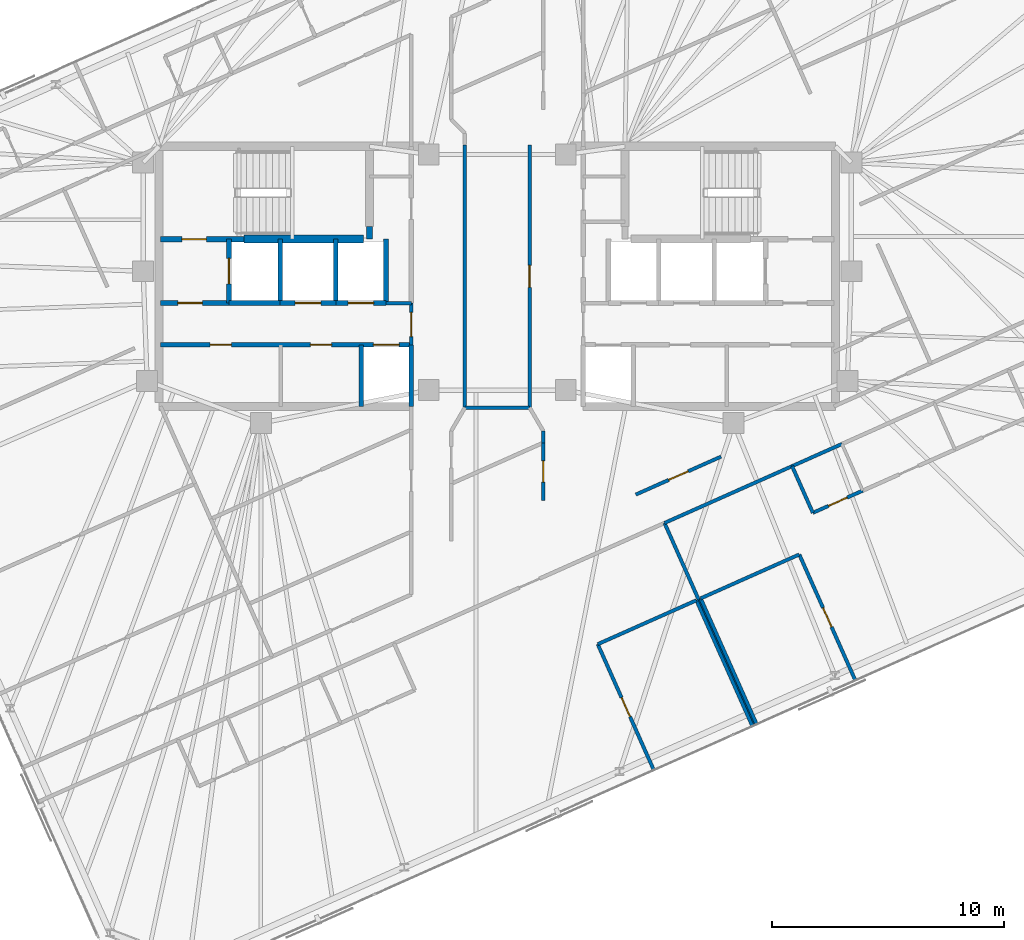
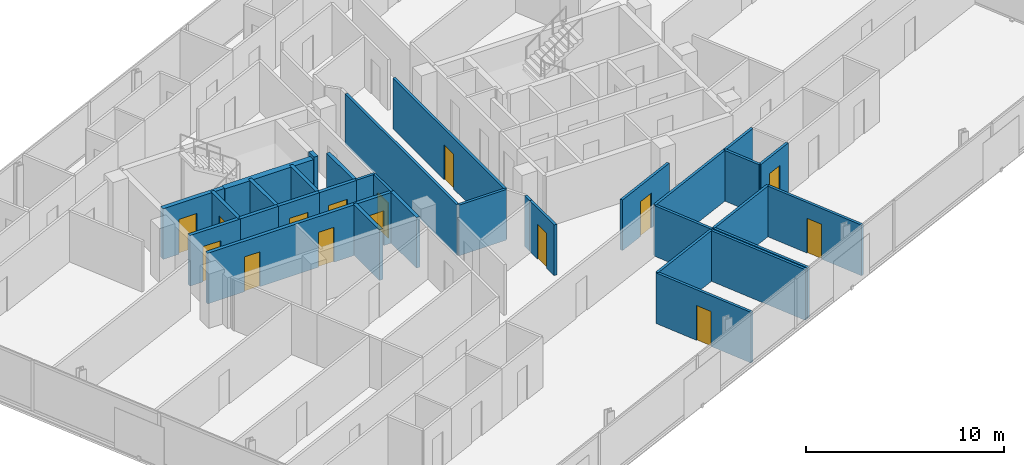
# One storey, part 14 of 19: 33 walls, 15 doors, 15 openings.
"""IFC4 building model written with IfcOpenShell, lengths in metres."""

from ifc_helpers import new_model, si_unit, direction, frame, frame_2d, origin, place, context, subcontext, project, spatial, rectangle, extrude, material, layer, layer_set, type_object, element, fill, save


model = new_model("IFC4")

# Units and contexts
model_context = context("Model", 3, precision=1e-05, world=origin(), true_north=direction((0.0, 1.0)))
body_context = subcontext(model_context, "Body", "Model", "MODEL_VIEW")
ifc_project = project(units=[si_unit("LENGTHUNIT", "METRE"), si_unit("AREAUNIT", "SQUARE_METRE"), si_unit("VOLUMEUNIT", "CUBIC_METRE"), si_unit("PLANEANGLEUNIT", "RADIAN"), si_unit("MASSUNIT", "GRAM", prefix="KILO")], contexts=[model_context])

# Site, building, storey
site_placement = place(None, origin())
site = spatial("IfcSite", under=ifc_project, at=site_placement, CompositionType="ELEMENT")
building_placement = place(site_placement, origin())
building = spatial("IfcBuilding", under=site, at=building_placement, Name="Menara Jurai Vektor", CompositionType="ELEMENT")
storey_placement = place(building_placement, frame((0.0, 0.0, 291.949951171875)))
storey = spatial("IfcBuildingStorey", under=building, at=storey_placement, Name="L78", CompositionType="ELEMENT", Elevation=291.949951171875)

# Wall, opening, door
ifc_material_1 = material(Name="Concrete C40/50", Category="concrete")
ifc_layer_1 = layer(ifc_material_1, 0.25)
ifc_layer_set_1 = layer_set([ifc_layer_1], Name="Concrete C40/50")
wall_type_1 = type_object("IfcWallType", Name="INT-WALL-CORE-250", PredefinedType="STANDARD", material=ifc_layer_set_1)
wall_1_placement = place(storey_placement, frame((-14.5, 1.60009765625, 0.0), z_axis=(0.0, 0.0, 1.0), x_axis=(1.0, 0.0, 0.0)))
wall_1 = element("IfcWall", 1, at=wall_1_placement, inside=storey, type_object=wall_type_1, Name="Interior Wall IW-250 L78", PredefinedType="STANDARD", context=body_context, shape_type="SweptSolid", body=[
    extrude(rectangle(XDim=3.60009765625, YDim=0.25, at=frame_2d((1.800048828125, 0.0))), origin(), (0.0, 0.0, 1.0), 3.125),
])
opening_1_placement = place(wall_1_placement, frame((0.919921875, 0.0, 0.0)))
opening_1 = element("IfcOpeningElement", 2, at=opening_1_placement, cuts=wall_1, Name="Opening D-L78-ST1", PredefinedType="OPENING", context=body_context, shape_type="SweptSolid", body=[
    extrude(rectangle(XDim=1.050048828125, YDim=2.14990234375, at=frame_2d((0.52490234375, 1.074951171875))), frame((0.0, 0.135009765625, 0.0), z_axis=(0.0, -1.0, 0.0), x_axis=(1.0, 0.0, 0.0)), (0.0, 0.0, 1.0), 0.27001953125),
])
ifc_material_2 = material(Name="Fire-Rated Steel Door", Category="steel")
door_type_1 = type_object("IfcDoorType", Name="DR-STAIR-1050", OperationType="NOTDEFINED", PredefinedType="DOOR", material=ifc_material_2)
door_1_placement = place(opening_1_placement, origin())
door_1 = element("IfcDoor", 3, at=door_1_placement, inside=storey, type_object=door_type_1, Name="Exit Stair ST1 Door L78", OperationType="SINGLE_SWING_RIGHT", OverallHeight=2.14990234375, OverallWidth=1.050048828125, PredefinedType="DOOR", context=body_context, shape_type="SweptSolid", body=[
    extrude(rectangle(XDim=1.050048828125, YDim=2.14990234375, at=frame_2d((0.52490234375, 1.074951171875))), frame((0.0, 0.02490234375, 0.0), z_axis=(0.0, -1.0, 0.0), x_axis=(1.0, 0.0, 0.0)), (0.0, 0.0, 1.0), 0.050048828125),
])
fill(opening_1, door_1)

# Wall
wall_2_placement = place(storey_placement, frame((-5.5, 1.60009765625, 0.0), z_axis=(0.0, 0.0, 1.0), x_axis=(0.0, 1.0, 0.0)))
element("IfcWall", 4, at=wall_2_placement, inside=storey, type_object=wall_type_1, Name="Interior Wall IW-250 L78", PredefinedType="STANDARD", context=body_context, shape_type="SweptSolid", body=[
    extrude(rectangle(XDim=0.5498046875, YDim=0.25, at=frame_2d((0.27490234375, 0.0))), origin(), (0.0, 0.0, 1.0), 3.125),
])

# Wall, opening, door
wall_3_placement = place(storey_placement, frame((-11.550048828125, -1.14990234375, 0.0), z_axis=(0.0, 0.0, 1.0), x_axis=(0.0, 1.0, 0.0)))
wall_3 = element("IfcWall", 5, at=wall_3_placement, inside=storey, type_object=wall_type_1, Name="Interior Wall IW-250 L78", PredefinedType="STANDARD", context=body_context, shape_type="SweptSolid", body=[
    extrude(rectangle(XDim=2.75, YDim=0.199951171875, at=frame_2d((1.375, 0.0))), origin(), (0.0, 0.0, 1.0), 3.125),
])
opening_2_placement = place(wall_3_placement, frame((0.824951171875, 0.0, 0.0)))
opening_2 = element("IfcOpeningElement", 6, at=opening_2_placement, cuts=wall_3, Name="Opening LD-L78-FL1", PredefinedType="OPENING", context=body_context, shape_type="SweptSolid", body=[
    extrude(rectangle(XDim=1.10009765625, YDim=2.14990234375, at=frame_2d((0.550048828125, 1.074951171875))), frame((0.0, 0.10986328125, 0.0), z_axis=(0.0, -1.0, 0.0), x_axis=(1.0, 0.0, 0.0)), (0.0, 0.0, 1.0), 0.219970703125),
])
ifc_material_3 = material(Name="Stainless Steel Sliding Lift Landing Door", Category="steel")
door_type_2 = type_object("IfcDoorType", Name="DR-LIFT-FIRE-1100", OperationType="NOTDEFINED", PredefinedType="DOOR", material=ifc_material_3)
door_2_placement = place(opening_2_placement, origin())
door_2 = element("IfcDoor", 7, at=door_2_placement, inside=storey, type_object=door_type_2, Name="Lift Landing Door FL1 L78", OperationType="SLIDING_TO_RIGHT", OverallHeight=2.14990234375, OverallWidth=1.10009765625, PredefinedType="DOOR", context=body_context, shape_type="SweptSolid", body=[
    extrude(rectangle(XDim=1.10009765625, YDim=2.14990234375, at=frame_2d((0.550048828125, 1.074951171875))), frame((0.0, 0.02490234375, 0.0), z_axis=(0.0, -1.0, 0.0), x_axis=(1.0, 0.0, 0.0)), (0.0, 0.0, 1.0), 0.050048828125),
])
fill(opening_2, door_2)

# Wall
wall_4_placement = place(storey_placement, frame((-9.35009765625, -1.14990234375, 0.0), z_axis=(0.0, 0.0, 1.0), x_axis=(0.0, 1.0, 0.0)))
element("IfcWall", 8, at=wall_4_placement, inside=storey, type_object=wall_type_1, Name="Interior Wall IW-250 L78", PredefinedType="STANDARD", context=body_context, shape_type="SweptSolid", body=[
    extrude(rectangle(XDim=2.75, YDim=0.199951171875, at=frame_2d((1.375, 0.0))), origin(), (0.0, 0.0, 1.0), 3.125),
])

# Wall, opening, door
wall_5_placement = place(storey_placement, frame((-14.5, -1.14990234375, 0.0), z_axis=(0.0, 0.0, 1.0), x_axis=(1.0, 0.0, 0.0)))
wall_5 = element("IfcWall", 9, at=wall_5_placement, inside=storey, type_object=wall_type_1, Name="Interior Wall IW-250 L78", PredefinedType="STANDARD", context=body_context, shape_type="SweptSolid", body=[
    extrude(rectangle(XDim=2.949951171875, YDim=0.199951171875, at=frame_2d((1.47509765625, 0.0))), origin(), (0.0, 0.0, 1.0), 3.125),
])
opening_3_placement = place(wall_5_placement, frame((0.75, 0.0, 0.0)))
opening_3 = element("IfcOpeningElement", 10, at=opening_3_placement, cuts=wall_5, Name="Opening D-L78-FFW", PredefinedType="OPENING", context=body_context, shape_type="SweptSolid", body=[
    extrude(rectangle(XDim=1.050048828125, YDim=2.179931640625, at=frame_2d((0.52490234375, 1.08984375))), frame((0.0, 0.10986328125, 0.0), z_axis=(0.0, -1.0, 0.0), x_axis=(1.0, 0.0, 0.0)), (0.0, 0.0, 1.0), 0.219970703125),
])
ifc_material_4 = material(Name="Fire-Rated Timber Door", Category="wood")
door_type_3 = type_object("IfcDoorType", Name="DR-LOBBY-1050", OperationType="NOTDEFINED", PredefinedType="DOOR", material=ifc_material_4)
door_3_placement = place(opening_3_placement, origin())
door_3 = element("IfcDoor", 11, at=door_3_placement, inside=storey, type_object=door_type_3, Name="Fire Lift Lobby Door W L78", OperationType="SINGLE_SWING_RIGHT", OverallHeight=2.179931640625, OverallWidth=1.050048828125, PredefinedType="DOOR", context=body_context, shape_type="SweptSolid", body=[
    extrude(rectangle(XDim=1.050048828125, YDim=2.179931640625, at=frame_2d((0.52490234375, 1.08984375))), frame((0.0, 0.02490234375, 0.0), z_axis=(0.0, -1.0, 0.0), x_axis=(1.0, 0.0, 0.0)), (0.0, 0.0, 1.0), 0.050048828125),
])
fill(opening_3, door_3)

# Wall
wall_6_placement = place(storey_placement, frame((-11.550048828125, -1.14990234375, 0.0), z_axis=(0.0, 0.0, 1.0), x_axis=(1.0, 0.0, 0.0)))
element("IfcWall", 12, at=wall_6_placement, inside=storey, type_object=wall_type_1, Name="Interior Wall IW-250 L78", PredefinedType="STANDARD", context=body_context, shape_type="SweptSolid", body=[
    extrude(rectangle(XDim=2.199951171875, YDim=0.199951171875, at=frame_2d((1.10009765625, 0.0))), origin(), (0.0, 0.0, 1.0), 3.125),
])

# Wall, opening, door
ifc_material_5 = material(Name="Gypsum Fireboard Partition", Category="gypsum")
ifc_layer_2 = layer(ifc_material_5, 0.14990234375)
ifc_layer_set_2 = layer_set([ifc_layer_2], Name="Gypsum Fireboard Partition")
wall_type_2 = type_object("IfcWallType", Name="INT-WALL-CORR-150", PredefinedType="PARTITIONING", material=ifc_layer_set_2)
wall_7_placement = place(storey_placement, frame((-3.699951171875, -2.949951171875, 0.0), z_axis=(0.0, 0.0, 1.0), x_axis=(0.0, 1.0, 0.0)))
wall_7 = element("IfcWall", 13, at=wall_7_placement, inside=storey, type_object=wall_type_2, Name="Interior Wall IW-150 L78", PredefinedType="PARTITIONING", context=body_context, shape_type="SweptSolid", body=[
    extrude(rectangle(XDim=1.800048828125, YDim=0.14990234375, at=frame_2d((0.89990234375, 0.0))), origin(), (0.0, 0.0, 1.0), 3.125),
])
opening_4_placement = place(wall_7_placement, frame((0.35009765625, 0.0, 0.0)))
opening_4 = element("IfcOpeningElement", 14, at=opening_4_placement, cuts=wall_7, Name="Opening D-L78-LLW", PredefinedType="OPENING", context=body_context, shape_type="SweptSolid", body=[
    extrude(rectangle(XDim=1.050048828125, YDim=2.179931640625, at=frame_2d((0.52490234375, 1.08984375))), frame((0.0, 0.0849609375, 0.0), z_axis=(0.0, -1.0, 0.0), x_axis=(1.0, 0.0, 0.0)), (0.0, 0.0, 1.0), 0.169921875),
])
door_4_placement = place(opening_4_placement, origin())
door_4 = element("IfcDoor", 15, at=door_4_placement, inside=storey, type_object=door_type_3, Name="Lift Lobby Corridor Door W L78", OperationType="SINGLE_SWING_LEFT", OverallHeight=2.179931640625, OverallWidth=1.050048828125, PredefinedType="DOOR", context=body_context, shape_type="SweptSolid", body=[
    extrude(rectangle(XDim=1.050048828125, YDim=2.179931640625, at=frame_2d((0.52490234375, 1.08984375))), frame((0.0, 0.02490234375, 0.0), z_axis=(0.0, -1.0, 0.0), x_axis=(1.0, 0.0, 0.0)), (0.0, 0.0, 1.0), 0.050048828125),
])
fill(opening_4, door_4)

# Walls
wall_8_placement = place(storey_placement, frame((-4.7900390625, -1.14990234375, 0.0), z_axis=(0.0, 0.0, 1.0), x_axis=(1.0, 0.0, 0.0)))
element("IfcWall", 16, at=wall_8_placement, inside=storey, type_object=wall_type_2, Name="Interior Wall IW-150 L78", PredefinedType="PARTITIONING", context=body_context, shape_type="SweptSolid", body=[
    extrude(rectangle(XDim=1.090087890625, YDim=0.14990234375, at=frame_2d((0.544921875, 0.0))), origin(), (0.0, 0.0, 1.0), 3.125),
])
wall_9_placement = place(storey_placement, frame((-1.390869140625, -5.64990234375, 0.0), z_axis=(0.0, 0.0, 1.0), x_axis=(-2.1605738e-05, 0.999999999767, 0.0)))
element("IfcWall", 17, at=wall_9_placement, inside=storey, type_object=wall_type_2, Name="Interior Wall IW-150 L78", PredefinedType="PARTITIONING", context=body_context, shape_type="SweptSolid", body=[
    extrude(rectangle(XDim=11.2998046875, YDim=0.14990234375, at=frame_2d((5.64990234375, 0.0))), origin(), (0.0, 0.0, 1.0), 3.125),
])

# Wall, opening, door
wall_10_placement = place(storey_placement, frame((1.390869140625, -5.650390625, 0.0), z_axis=(0.0, 0.0, 1.0), x_axis=(4.3206809e-05, 0.999999999067, 0.0)))
wall_10 = element("IfcWall", 18, at=wall_10_placement, inside=storey, type_object=wall_type_2, Name="Interior Wall IW-150 L78", PredefinedType="PARTITIONING", context=body_context, shape_type="SweptSolid", body=[
    extrude(rectangle(XDim=11.301025390625, YDim=0.14990234375, at=frame_2d((5.650390625, 0.0))), origin(), (0.0, 0.0, 1.0), 3.125),
])
opening_5_placement = place(wall_10_placement, frame((5.175537109375, 0.0, 0.0)))
opening_5 = element("IfcOpeningElement", 19, at=opening_5_placement, cuts=wall_10, Name="Opening D78-08", PredefinedType="OPENING", context=body_context, shape_type="SweptSolid", body=[
    extrude(rectangle(XDim=0.949951171875, YDim=2.14990234375, at=frame_2d((0.47509765625, 1.074951171875))), frame((0.0, 0.0849609375, 0.0), z_axis=(0.0, -1.0, 0.0), x_axis=(1.0, 0.0, 0.0)), (0.0, 0.0, 1.0), 0.169921875),
])
ifc_material_6 = material(Name="Solid Core Timber Fire Door", Category="wood")
door_type_4 = type_object("IfcDoorType", Name="DR-ENTRY-950", OperationType="NOTDEFINED", PredefinedType="DOOR", material=ifc_material_6)
door_5_placement = place(opening_5_placement, origin())
door_5 = element("IfcDoor", 20, at=door_5_placement, inside=storey, type_object=door_type_4, Name="Interior Door D78-08", OperationType="SINGLE_SWING_LEFT", OverallHeight=2.14990234375, OverallWidth=0.949951171875, PredefinedType="DOOR", context=body_context, shape_type="SweptSolid", body=[
    extrude(rectangle(XDim=0.949951171875, YDim=2.14990234375, at=frame_2d((0.47509765625, 1.074951171875))), frame((0.0, 0.02490234375, 0.0), z_axis=(0.0, -1.0, 0.0), x_axis=(1.0, 0.0, 0.0)), (0.0, 0.0, 1.0), 0.050048828125),
])
fill(opening_5, door_5)

# Walls
wall_11_placement = place(storey_placement, frame((7.20361328125, -10.6220703125, 0.0), z_axis=(0.0, 0.0, 1.0), x_axis=(0.913545172627, 0.406737283231, 0.0)))
element("IfcWall", 21, at=wall_11_placement, inside=storey, type_object=wall_type_2, Name="Interior Wall IW-150 L78", PredefinedType="PARTITIONING", context=body_context, shape_type="SweptSolid", body=[
    extrude(rectangle(XDim=6.013916015625, YDim=0.14990234375, at=frame_2d((3.0068359375, 0.0))), origin(), (0.0, 0.0, 1.0), 3.125),
])
wall_12_placement = place(storey_placement, frame((12.697509765625, -8.176025390625, 0.0), z_axis=(0.0, 0.0, 1.0), x_axis=(0.913558622212, 0.406707073682, 0.0)))
element("IfcWall", 22, at=wall_12_placement, inside=storey, type_object=wall_type_2, Name="Interior Wall IW-150 L78", PredefinedType="PARTITIONING", context=body_context, shape_type="SweptSolid", body=[
    extrude(rectangle(XDim=2.35009765625, YDim=0.14990234375, at=frame_2d((1.175048828125, 0.0))), origin(), (0.0, 0.0, 1.0), 3.125),
])

# Wall, opening, door
wall_13_placement = place(storey_placement, frame((5.968017578125, -9.398681640625, 0.0), z_axis=(0.0, 0.0, 1.0), x_axis=(0.913563383118, 0.406696379412, 0.0)))
wall_13 = element("IfcWall", 23, at=wall_13_placement, inside=storey, type_object=wall_type_2, Name="Interior Wall IW-150 L78", PredefinedType="PARTITIONING", context=body_context, shape_type="SweptSolid", body=[
    extrude(rectangle(XDim=4.01904296875, YDim=0.14990234375, at=frame_2d((2.009521484375, 0.0))), origin(), (0.0, 0.0, 1.0), 3.125),
])
opening_6_placement = place(wall_13_placement, frame((1.549560546875, 0.0, 0.0)))
opening_6 = element("IfcOpeningElement", 24, at=opening_6_placement, cuts=wall_13, Name="Opening D78-35", PredefinedType="OPENING", context=body_context, shape_type="SweptSolid", body=[
    extrude(rectangle(XDim=0.919921875, YDim=2.14990234375, at=frame_2d((0.4599609375, 1.074951171875))), frame((0.0, 0.0849609375, 0.0), z_axis=(0.0, -1.0, 0.0), x_axis=(1.0, 0.0, 0.0)), (0.0, 0.0, 1.0), 0.169921875),
])
door_6_placement = place(opening_6_placement, origin())
door_6 = element("IfcDoor", 25, at=door_6_placement, inside=storey, type_object=door_type_4, Name="Interior Door D78-35", OperationType="SINGLE_SWING_RIGHT", OverallHeight=2.14990234375, OverallWidth=0.919921875, PredefinedType="DOOR", context=body_context, shape_type="SweptSolid", body=[
    extrude(rectangle(XDim=0.919921875, YDim=2.14990234375, at=frame_2d((0.4599609375, 1.074951171875))), frame((0.0, 0.02490234375, 0.0), z_axis=(0.0, -1.0, 0.0), x_axis=(1.0, 0.0, 0.0)), (0.0, 0.0, 1.0), 0.050048828125),
])
fill(opening_6, door_6)

wall_14_placement = place(storey_placement, frame((1.979248046875, -9.64453125, 0.0), z_axis=(0.0, 0.0, 1.0), x_axis=(9.8541584e-05, 0.999999995145, 0.0)))
wall_14 = element("IfcWall", 26, at=wall_14_placement, inside=storey, type_object=wall_type_2, Name="Interior Wall IW-150 L78", PredefinedType="PARTITIONING", context=body_context, shape_type="SweptSolid", body=[
    extrude(rectangle(XDim=2.4775390625, YDim=0.14990234375, at=frame_2d((1.23876953125, 0.0))), origin(), (0.0, 0.0, 1.0), 3.125),
])
opening_7_placement = place(wall_14_placement, frame((0.77880859375, 0.0, 0.0)))
opening_7 = element("IfcOpeningElement", 27, at=opening_7_placement, cuts=wall_14, Name="Opening D78-36", PredefinedType="OPENING", context=body_context, shape_type="SweptSolid", body=[
    extrude(rectangle(XDim=0.919921875, YDim=2.14990234375, at=frame_2d((0.4599609375, 1.074951171875))), frame((0.0, 0.0849609375, 0.0), z_axis=(0.0, -1.0, 0.0), x_axis=(1.0, 0.0, 0.0)), (0.0, 0.0, 1.0), 0.169921875),
])
door_7_placement = place(opening_7_placement, origin())
door_7 = element("IfcDoor", 28, at=door_7_placement, inside=storey, type_object=door_type_4, Name="Interior Door D78-36", OperationType="SINGLE_SWING_LEFT", OverallHeight=2.14990234375, OverallWidth=0.919921875, PredefinedType="DOOR", context=body_context, shape_type="SweptSolid", body=[
    extrude(rectangle(XDim=0.919921875, YDim=2.14990234375, at=frame_2d((0.4599609375, 1.074951171875))), frame((0.0, 0.02490234375, 0.0), z_axis=(0.0, -1.0, 0.0), x_axis=(1.0, 0.0, 0.0)), (0.0, 0.0, 1.0), 0.050048828125),
])
fill(opening_7, door_7)

# Walls
wall_15_placement = place(storey_placement, frame((1.9794921875, -7.1669921875, 0.0), z_axis=(0.0, 0.0, 1.0), x_axis=(0.000961075962, 0.999999538166, 0.0)))
element("IfcWall", 29, at=wall_15_placement, inside=storey, type_object=wall_type_2, Name="Interior Wall IW-150 L78", PredefinedType="PARTITIONING", context=body_context, shape_type="SweptSolid", body=[
    extrude(rectangle(XDim=0.508056640625, YDim=0.14990234375, at=frame_2d((0.25390625, 0.0))), origin(), (0.0, 0.0, 1.0), 3.125),
])
wall_16_placement = place(storey_placement, frame((-1.390869140625, -5.64990234375, 0.0), z_axis=(0.0, 0.0, 1.0), x_axis=(0.999999984594, -0.000175530979, 0.0)))
element("IfcWall", 30, at=wall_16_placement, inside=storey, type_object=wall_type_2, Name="Interior Wall IW-150 L78", PredefinedType="PARTITIONING", context=body_context, shape_type="SweptSolid", body=[
    extrude(rectangle(XDim=2.78173828125, YDim=0.14990234375, at=frame_2d((1.390869140625, 0.0))), origin(), (0.0, 0.0, 1.0), 3.125),
])

# Wall, opening, door
wall_17_placement = place(storey_placement, frame((6.742431640625, -21.2646484375, 0.0), z_axis=(0.0, 0.0, 1.0), x_axis=(-0.406749048544, 0.913539934271, 0.0)))
wall_17 = element("IfcWall", 31, at=wall_17_placement, inside=storey, type_object=wall_type_2, Name="Interior Wall IW-150 L78", PredefinedType="PARTITIONING", context=body_context, shape_type="SweptSolid", body=[
    extrude(rectangle(XDim=5.93505859375, YDim=0.14990234375, at=frame_2d((2.967529296875, 0.0))), origin(), (0.0, 0.0, 1.0), 3.125),
])
opening_8_placement = place(wall_17_placement, frame((2.517578125, 0.0, 0.0)))
opening_8 = element("IfcOpeningElement", 32, at=opening_8_placement, cuts=wall_17, Name="Opening D78-25", PredefinedType="OPENING", context=body_context, shape_type="SweptSolid", body=[
    extrude(rectangle(XDim=0.89990234375, YDim=2.14990234375, at=frame_2d((0.449951171875, 1.074951171875))), frame((0.0, 0.0849609375, 0.0), z_axis=(0.0, -1.0, 0.0), x_axis=(1.0, 0.0, 0.0)), (0.0, 0.0, 1.0), 0.169921875),
])
ifc_material_7 = material(Name="Acoustic Timber Interior Door", Category="wood")
door_type_5 = type_object("IfcDoorType", Name="DR-ROOM-900", OperationType="NOTDEFINED", PredefinedType="DOOR", material=ifc_material_7)
door_8_placement = place(opening_8_placement, origin())
door_8 = element("IfcDoor", 33, at=door_8_placement, inside=storey, type_object=door_type_5, Name="Interior Door D78-25", OperationType="SINGLE_SWING_RIGHT", OverallHeight=2.14990234375, OverallWidth=0.89990234375, PredefinedType="DOOR", context=body_context, shape_type="SweptSolid", body=[
    extrude(rectangle(XDim=0.89990234375, YDim=2.14990234375, at=frame_2d((0.449951171875, 1.074951171875))), frame((0.0, 0.02490234375, 0.0), z_axis=(0.0, -1.0, 0.0), x_axis=(1.0, 0.0, 0.0)), (0.0, 0.0, 1.0), 0.050048828125),
])
fill(opening_8, door_8)

# Walls
wall_18_placement = place(storey_placement, frame((4.328369140625, -15.8427734375, 0.0), z_axis=(0.0, 0.0, 1.0), x_axis=(0.91354505039, 0.40673755778, 0.0)))
element("IfcWall", 34, at=wall_18_placement, inside=storey, type_object=wall_type_2, Name="Interior Wall IW-150 L78", PredefinedType="PARTITIONING", context=body_context, shape_type="SweptSolid", body=[
    extrude(rectangle(XDim=4.650146484375, YDim=0.14990234375, at=frame_2d((2.3251953125, 0.0))), origin(), (0.0, 0.0, 1.0), 3.125),
])
wall_19_placement = place(storey_placement, frame((10.990478515625, -19.373291015625, 0.0), z_axis=(0.0, 0.0, 1.0), x_axis=(-0.406749048544, 0.913539934271, 0.0)))
element("IfcWall", 35, at=wall_19_placement, inside=storey, type_object=wall_type_2, Name="Interior Wall IW-150 L78", PredefinedType="PARTITIONING", context=body_context, shape_type="SweptSolid", body=[
    extrude(rectangle(XDim=5.93505859375, YDim=0.14990234375, at=frame_2d((2.967529296875, 0.0))), origin(), (0.0, 0.0, 1.0), 3.125),
])
wall_20_placement = place(storey_placement, frame((11.081787109375, -19.332763671875, 0.0), z_axis=(0.0, 0.0, 1.0), x_axis=(-0.406729927653, 0.913548447512, 0.0)))
element("IfcWall", 36, at=wall_20_placement, inside=storey, type_object=wall_type_2, Name="Interior Wall IW-150 L78", PredefinedType="PARTITIONING", context=body_context, shape_type="SweptSolid", body=[
    extrude(rectangle(XDim=9.534912109375, YDim=0.14990234375, at=frame_2d((4.767578125, 0.0))), origin(), (0.0, 0.0, 1.0), 3.125),
])
wall_21_placement = place(storey_placement, frame((13.59228515625, -10.185791015625, 0.0), z_axis=(0.0, 0.0, 1.0), x_axis=(-0.406725294076, 0.913550510459, 0.0)))
element("IfcWall", 37, at=wall_21_placement, inside=storey, type_object=wall_type_2, Name="Interior Wall IW-150 L78", PredefinedType="PARTITIONING", context=body_context, shape_type="SweptSolid", body=[
    extrude(rectangle(XDim=2.199951171875, YDim=0.14990234375, at=frame_2d((1.10009765625, 0.0))), origin(), (0.0, 0.0, 1.0), 3.125),
])

# Wall, opening, door
wall_22_placement = place(storey_placement, frame((13.59228515625, -10.185791015625, 0.0), z_axis=(0.0, 0.0, 1.0), x_axis=(0.913558622212, 0.406707073682, 0.0)))
wall_22 = element("IfcWall", 38, at=wall_22_placement, inside=storey, type_object=wall_type_2, Name="Interior Wall IW-150 L78", PredefinedType="PARTITIONING", context=body_context, shape_type="SweptSolid", body=[
    extrude(rectangle(XDim=2.35009765625, YDim=0.14990234375, at=frame_2d((1.175048828125, 0.0))), origin(), (0.0, 0.0, 1.0), 3.125),
])
opening_9_placement = place(wall_22_placement, frame((0.735107421875, 0.0, 0.0)))
opening_9 = element("IfcOpeningElement", 39, at=opening_9_placement, cuts=wall_22, Name="Opening D78-27", PredefinedType="OPENING", context=body_context, shape_type="SweptSolid", body=[
    extrude(rectangle(XDim=0.8798828125, YDim=2.14990234375, at=frame_2d((0.43994140625, 1.074951171875))), frame((0.0, 0.0849609375, 0.0), z_axis=(0.0, -1.0, 0.0), x_axis=(1.0, 0.0, 0.0)), (0.0, 0.0, 1.0), 0.169921875),
])
ifc_material_8 = material(Name="Moisture-Resistant Timber Door", Category="wood")
door_type_6 = type_object("IfcDoorType", Name="DR-BATH-880", OperationType="NOTDEFINED", PredefinedType="DOOR", material=ifc_material_8)
door_9_placement = place(opening_9_placement, origin())
door_9 = element("IfcDoor", 40, at=door_9_placement, inside=storey, type_object=door_type_6, Name="Interior Door D78-27", OperationType="SINGLE_SWING_RIGHT", OverallHeight=2.14990234375, OverallWidth=0.8798828125, PredefinedType="DOOR", context=body_context, shape_type="SweptSolid", body=[
    extrude(rectangle(XDim=0.8798828125, YDim=2.14990234375, at=frame_2d((0.43994140625, 1.074951171875))), frame((0.0, 0.02490234375, 0.0), z_axis=(0.0, -1.0, 0.0), x_axis=(1.0, 0.0, 0.0)), (0.0, 0.0, 1.0), 0.050048828125),
])
fill(opening_9, door_9)

# Walls
wall_23_placement = place(storey_placement, frame((11.173095703125, -19.2919921875, 0.0), z_axis=(0.0, 0.0, 1.0), x_axis=(-0.406749048544, 0.913539934271, 0.0)))
element("IfcWall", 41, at=wall_23_placement, inside=storey, type_object=wall_type_2, Name="Interior Wall IW-150 L78", PredefinedType="PARTITIONING", context=body_context, shape_type="SweptSolid", body=[
    extrude(rectangle(XDim=5.93505859375, YDim=0.14990234375, at=frame_2d((2.967529296875, 0.0))), origin(), (0.0, 0.0, 1.0), 3.125),
])
wall_24_placement = place(storey_placement, frame((8.759033203125, -13.8701171875, 0.0), z_axis=(0.0, 0.0, 1.0), x_axis=(0.91354505039, 0.40673755778, 0.0)))
element("IfcWall", 42, at=wall_24_placement, inside=storey, type_object=wall_type_2, Name="Interior Wall IW-150 L78", PredefinedType="PARTITIONING", context=body_context, shape_type="SweptSolid", body=[
    extrude(rectangle(XDim=4.650146484375, YDim=0.14990234375, at=frame_2d((2.3251953125, 0.0))), origin(), (0.0, 0.0, 1.0), 3.125),
])

# Wall, opening, door
wall_25_placement = place(storey_placement, frame((15.421142578125, -17.400634765625, 0.0), z_axis=(0.0, 0.0, 1.0), x_axis=(-0.406749048544, 0.913539934271, 0.0)))
wall_25 = element("IfcWall", 43, at=wall_25_placement, inside=storey, type_object=wall_type_2, Name="Interior Wall IW-150 L78", PredefinedType="PARTITIONING", context=body_context, shape_type="SweptSolid", body=[
    extrude(rectangle(XDim=5.93505859375, YDim=0.14990234375, at=frame_2d((2.967529296875, 0.0))), origin(), (0.0, 0.0, 1.0), 3.125),
])
opening_10_placement = place(wall_25_placement, frame((2.517578125, 0.0, 0.0)))
opening_10 = element("IfcOpeningElement", 44, at=opening_10_placement, cuts=wall_25, Name="Opening D78-30", PredefinedType="OPENING", context=body_context, shape_type="SweptSolid", body=[
    extrude(rectangle(XDim=0.89990234375, YDim=2.14990234375, at=frame_2d((0.449951171875, 1.074951171875))), frame((0.0, 0.0849609375, 0.0), z_axis=(0.0, -1.0, 0.0), x_axis=(1.0, 0.0, 0.0)), (0.0, 0.0, 1.0), 0.169921875),
])
door_10_placement = place(opening_10_placement, origin())
door_10 = element("IfcDoor", 45, at=door_10_placement, inside=storey, type_object=door_type_5, Name="Interior Door D78-30", OperationType="SINGLE_SWING_LEFT", OverallHeight=2.14990234375, OverallWidth=0.89990234375, PredefinedType="DOOR", context=body_context, shape_type="SweptSolid", body=[
    extrude(rectangle(XDim=0.89990234375, YDim=2.14990234375, at=frame_2d((0.449951171875, 1.074951171875))), frame((0.0, 0.02490234375, 0.0), z_axis=(0.0, -1.0, 0.0), x_axis=(1.0, 0.0, 0.0)), (0.0, 0.0, 1.0), 0.050048828125),
])
fill(opening_10, door_10)

# Walls
ifc_layer_3 = layer(ifc_material_1, 0.199951171875)
ifc_layer_set_3 = layer_set([ifc_layer_3], Name="Concrete C40/50")
wall_type_3 = type_object("IfcWallType", Name="INT-WALL-SHAFT-200", PredefinedType="STANDARD", material=ifc_layer_set_3)
wall_26_placement = place(storey_placement, frame((-3.699951171875, -5.60009765625, 0.0), z_axis=(0.0, 0.0, 1.0), x_axis=(0.0, 1.0, 0.0)))
element("IfcWall", 46, at=wall_26_placement, inside=storey, type_object=wall_type_3, Name="Interior Wall IW-200 L78", PredefinedType="STANDARD", context=body_context, shape_type="SweptSolid", body=[
    extrude(rectangle(XDim=2.650146484375, YDim=0.199951171875, at=frame_2d((1.3251953125, 0.0))), origin(), (0.0, 0.0, 1.0), 3.125),
])
wall_27_placement = place(storey_placement, frame((-6.949951171875, -1.14990234375, 0.0), z_axis=(0.0, 0.0, 1.0), x_axis=(0.0, 1.0, 0.0)))
element("IfcWall", 47, at=wall_27_placement, inside=storey, type_object=wall_type_3, Name="Interior Wall IW-200 L78", PredefinedType="STANDARD", context=body_context, shape_type="SweptSolid", body=[
    extrude(rectangle(XDim=2.75, YDim=0.199951171875, at=frame_2d((1.375, 0.0))), origin(), (0.0, 0.0, 1.0), 3.125),
])

# Wall, opening, door
wall_28_placement = place(storey_placement, frame((-9.35009765625, -1.14990234375, 0.0), z_axis=(0.0, 0.0, 1.0), x_axis=(1.0, 0.0, 0.0)))
wall_28 = element("IfcWall", 48, at=wall_28_placement, inside=storey, type_object=wall_type_3, Name="Interior Wall IW-200 L78", PredefinedType="STANDARD", context=body_context, shape_type="SweptSolid", body=[
    extrude(rectangle(XDim=2.400146484375, YDim=0.199951171875, at=frame_2d((1.2001953125, 0.0))), origin(), (0.0, 0.0, 1.0), 3.125),
])
opening_11_placement = place(wall_28_placement, frame((0.64990234375, 0.0, 0.0)))
opening_11 = element("IfcOpeningElement", 49, at=opening_11_placement, cuts=wall_28, Name="Opening LD-L78-SVL1", PredefinedType="OPENING", context=body_context, shape_type="SweptSolid", body=[
    extrude(rectangle(XDim=1.10009765625, YDim=2.14990234375, at=frame_2d((0.550048828125, 1.074951171875))), frame((0.0, 0.10986328125, 0.0), z_axis=(0.0, -1.0, 0.0), x_axis=(1.0, 0.0, 0.0)), (0.0, 0.0, 1.0), 0.219970703125),
])
ifc_material_9 = material(Name="Anodised Stainless Sliding Lift Landing Door", Category="steel")
door_type_7 = type_object("IfcDoorType", Name="DR-LIFT-PASS-1100", OperationType="NOTDEFINED", PredefinedType="DOOR", material=ifc_material_9)
door_11_placement = place(opening_11_placement, origin())
door_11 = element("IfcDoor", 50, at=door_11_placement, inside=storey, type_object=door_type_7, Name="Lift Landing Door SVL1 L78", OperationType="SLIDING_TO_RIGHT", OverallHeight=2.14990234375, OverallWidth=1.10009765625, PredefinedType="DOOR", context=body_context, shape_type="SweptSolid", body=[
    extrude(rectangle(XDim=1.10009765625, YDim=2.14990234375, at=frame_2d((0.550048828125, 1.074951171875))), frame((0.0, 0.02490234375, 0.0), z_axis=(0.0, -1.0, 0.0), x_axis=(1.0, 0.0, 0.0)), (0.0, 0.0, 1.0), 0.050048828125),
])
fill(opening_11, door_11)

# Wall
wall_29_placement = place(storey_placement, frame((-4.7900390625, -1.14990234375, 0.0), z_axis=(0.0, 0.0, 1.0), x_axis=(0.0, 1.0, 0.0)))
element("IfcWall", 51, at=wall_29_placement, inside=storey, type_object=wall_type_3, Name="Interior Wall IW-200 L78", PredefinedType="STANDARD", context=body_context, shape_type="SweptSolid", body=[
    extrude(rectangle(XDim=2.75, YDim=0.199951171875, at=frame_2d((1.375, 0.0))), origin(), (0.0, 0.0, 1.0), 3.125),
])

# Wall, opening, door
wall_30_placement = place(storey_placement, frame((-6.949951171875, -1.14990234375, 0.0), z_axis=(0.0, 0.0, 1.0), x_axis=(1.0, 0.0, 0.0)))
wall_30 = element("IfcWall", 52, at=wall_30_placement, inside=storey, type_object=wall_type_3, Name="Interior Wall IW-200 L78", PredefinedType="STANDARD", context=body_context, shape_type="SweptSolid", body=[
    extrude(rectangle(XDim=2.159912109375, YDim=0.199951171875, at=frame_2d((1.080078125, 0.0))), origin(), (0.0, 0.0, 1.0), 3.125),
])
opening_12_placement = place(wall_30_placement, frame((0.530029296875, 0.0, 0.0)))
opening_12 = element("IfcOpeningElement", 53, at=opening_12_placement, cuts=wall_30, Name="Opening LD-L78-PH2", PredefinedType="OPENING", context=body_context, shape_type="SweptSolid", body=[
    extrude(rectangle(XDim=1.10009765625, YDim=2.14990234375, at=frame_2d((0.550048828125, 1.074951171875))), frame((0.0, 0.10986328125, 0.0), z_axis=(0.0, -1.0, 0.0), x_axis=(1.0, 0.0, 0.0)), (0.0, 0.0, 1.0), 0.219970703125),
])
door_12_placement = place(opening_12_placement, origin())
door_12 = element("IfcDoor", 54, at=door_12_placement, inside=storey, type_object=door_type_7, Name="Lift Landing Door PH2 L78", OperationType="SLIDING_TO_RIGHT", OverallHeight=2.14990234375, OverallWidth=1.10009765625, PredefinedType="DOOR", context=body_context, shape_type="SweptSolid", body=[
    extrude(rectangle(XDim=1.10009765625, YDim=2.14990234375, at=frame_2d((0.550048828125, 1.074951171875))), frame((0.0, 0.02490234375, 0.0), z_axis=(0.0, -1.0, 0.0), x_axis=(1.0, 0.0, 0.0)), (0.0, 0.0, 1.0), 0.050048828125),
])
fill(opening_12, door_12)

# Wall, openings, doors
wall_31_placement = place(storey_placement, frame((-14.5, -2.949951171875, 0.0), z_axis=(0.0, 0.0, 1.0), x_axis=(1.0, 0.0, 0.0)))
wall_31 = element("IfcWall", 55, at=wall_31_placement, inside=storey, type_object=wall_type_3, Name="Interior Wall IW-200 L78", PredefinedType="STANDARD", context=body_context, shape_type="SweptSolid", body=[
    extrude(rectangle(XDim=10.800048828125, YDim=0.199951171875, at=frame_2d((5.39990234375, 0.0))), origin(), (0.0, 0.0, 1.0), 3.125),
])
opening_13_placement = place(wall_31_placement, frame((9.169921875, 0.0, 0.0)))
opening_13 = element("IfcOpeningElement", 56, at=opening_13_placement, cuts=wall_31, Name="Opening LD-L78-PH1", PredefinedType="OPENING", context=body_context, shape_type="SweptSolid", body=[
    extrude(rectangle(XDim=1.10009765625, YDim=2.14990234375, at=frame_2d((0.550048828125, 1.074951171875))), frame((0.0, 0.10986328125, 0.0), z_axis=(0.0, -1.0, 0.0), x_axis=(1.0, 0.0, 0.0)), (0.0, 0.0, 1.0), 0.219970703125),
])
opening_14_placement = place(wall_31_placement, frame((2.1298828125, 0.0, 0.0)))
opening_14 = element("IfcOpeningElement", 57, at=opening_14_placement, cuts=wall_31, Name="Opening D78-01", PredefinedType="OPENING", context=body_context, shape_type="SweptSolid", body=[
    extrude(rectangle(XDim=0.919921875, YDim=2.14990234375, at=frame_2d((0.4599609375, 1.074951171875))), frame((0.0, 0.10986328125, 0.0), z_axis=(0.0, -1.0, 0.0), x_axis=(1.0, 0.0, 0.0)), (0.0, 0.0, 1.0), 0.219970703125),
])
opening_15_placement = place(wall_31_placement, frame((6.449951171875, 0.0, 0.0)))
opening_15 = element("IfcOpeningElement", 58, at=opening_15_placement, cuts=wall_31, Name="Opening D78-02", PredefinedType="OPENING", context=body_context, shape_type="SweptSolid", body=[
    extrude(rectangle(XDim=0.919921875, YDim=2.14990234375, at=frame_2d((0.4599609375, 1.074951171875))), frame((0.0, 0.10986328125, 0.0), z_axis=(0.0, -1.0, 0.0), x_axis=(1.0, 0.0, 0.0)), (0.0, 0.0, 1.0), 0.219970703125),
])
door_13_placement = place(opening_14_placement, origin())
door_13 = element("IfcDoor", 59, at=door_13_placement, inside=storey, type_object=door_type_4, Name="Interior Door D78-01", OperationType="SINGLE_SWING_LEFT", OverallHeight=2.14990234375, OverallWidth=0.919921875, PredefinedType="DOOR", context=body_context, shape_type="SweptSolid", body=[
    extrude(rectangle(XDim=0.919921875, YDim=2.14990234375, at=frame_2d((0.4599609375, 1.074951171875))), frame((0.0, 0.02490234375, 0.0), z_axis=(0.0, -1.0, 0.0), x_axis=(1.0, 0.0, 0.0)), (0.0, 0.0, 1.0), 0.050048828125),
])
fill(opening_14, door_13)
door_14_placement = place(opening_15_placement, origin())
door_14 = element("IfcDoor", 60, at=door_14_placement, inside=storey, type_object=door_type_4, Name="Interior Door D78-02", OperationType="SINGLE_SWING_RIGHT", OverallHeight=2.14990234375, OverallWidth=0.919921875, PredefinedType="DOOR", context=body_context, shape_type="SweptSolid", body=[
    extrude(rectangle(XDim=0.919921875, YDim=2.14990234375, at=frame_2d((0.4599609375, 1.074951171875))), frame((0.0, 0.02490234375, 0.0), z_axis=(0.0, -1.0, 0.0), x_axis=(1.0, 0.0, 0.0)), (0.0, 0.0, 1.0), 0.050048828125),
])
fill(opening_15, door_14)
door_15_placement = place(opening_13_placement, origin())
door_15 = element("IfcDoor", 61, at=door_15_placement, inside=storey, type_object=door_type_7, Name="Lift Landing Door PH1 L78", OperationType="SLIDING_TO_RIGHT", OverallHeight=2.14990234375, OverallWidth=1.10009765625, PredefinedType="DOOR", context=body_context, shape_type="SweptSolid", body=[
    extrude(rectangle(XDim=1.10009765625, YDim=2.14990234375, at=frame_2d((0.550048828125, 1.074951171875))), frame((0.0, 0.02490234375, 0.0), z_axis=(0.0, -1.0, 0.0), x_axis=(1.0, 0.0, 0.0)), (0.0, 0.0, 1.0), 0.050048828125),
])
fill(opening_13, door_15)

# Walls
wall_32_placement = place(storey_placement, frame((-5.860107421875, -5.60009765625, 0.0), z_axis=(0.0, 0.0, 1.0), x_axis=(0.0, 1.0, 0.0)))
element("IfcWall", 62, at=wall_32_placement, inside=storey, type_object=wall_type_3, Name="Interior Wall IW-200 L78", PredefinedType="STANDARD", context=body_context, shape_type="SweptSolid", body=[
    extrude(rectangle(XDim=2.650146484375, YDim=0.199951171875, at=frame_2d((1.3251953125, 0.0))), origin(), (0.0, 0.0, 1.0), 3.125),
])
ifc_material_10 = material(Name="Concrete C50/60", Category="concrete")
ifc_layer_4 = layer(ifc_material_10, 0.35009765625)
ifc_layer_set_4 = layer_set([ifc_layer_4], Name="Concrete C50/60")
wall_type_4 = type_object("IfcWallType", Name="STR-WALL-CORE350", PredefinedType="SHEAR", material=ifc_layer_set_4)
wall_33_placement = place(storey_placement, frame((-10.89990234375, 1.60009765625, 0.0), z_axis=(0.0, 0.0, 1.0), x_axis=(1.0, 0.0, 0.0)))
element("IfcWall", 63, at=wall_33_placement, inside=storey, type_object=wall_type_4, Name="Core Shear Wall CW-W-STS L78", PredefinedType="SHEAR", context=body_context, shape_type="SweptSolid", body=[
    extrude(rectangle(XDim=5.14990234375, YDim=0.35009765625, at=frame_2d((2.574951171875, 0.0))), origin(), (0.0, 0.0, 1.0), 3.125),
])

save(model, "model.ifc")
